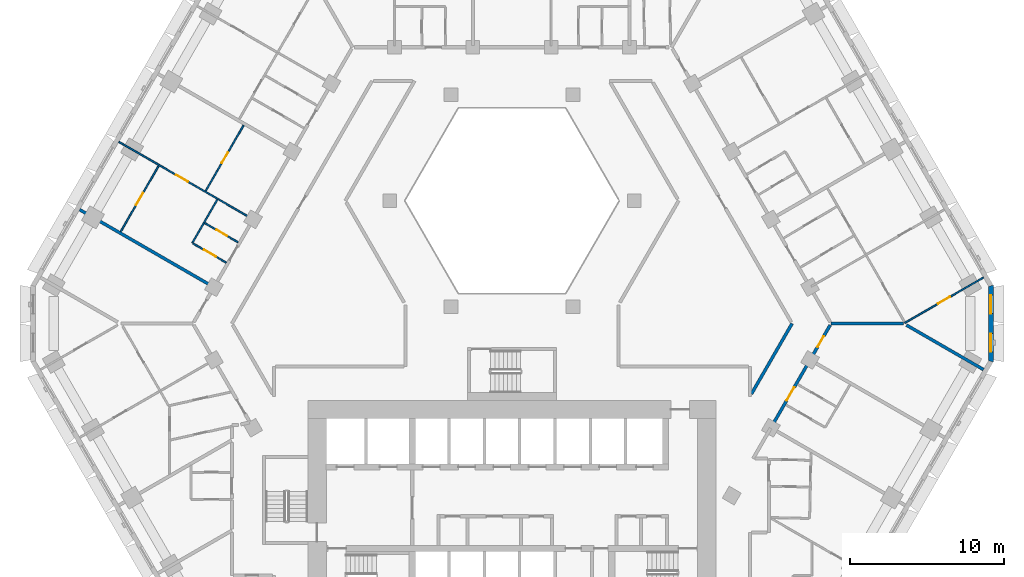
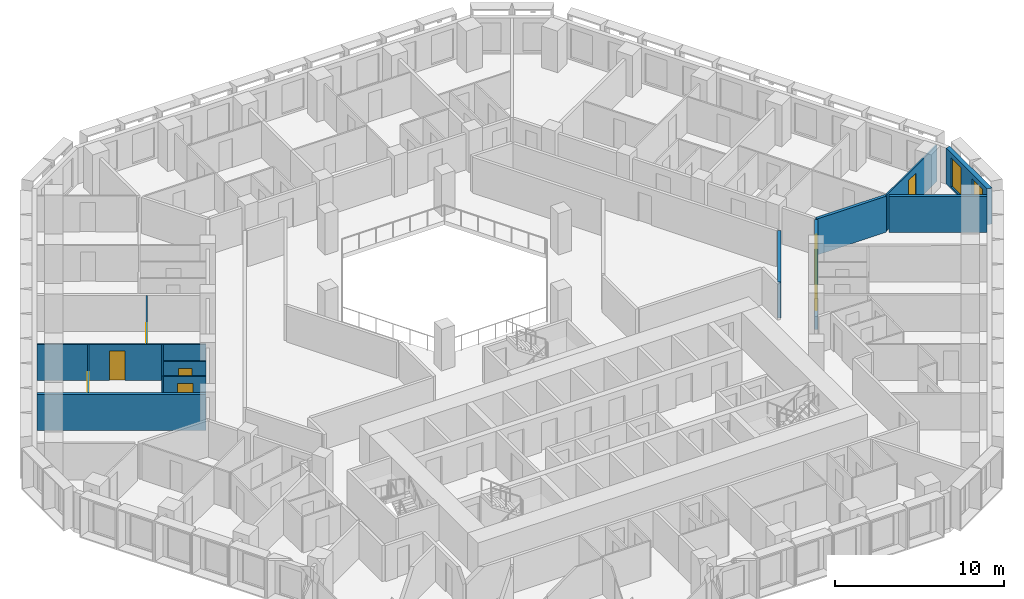
# One storey, part 8 of 21: 13 walls, 8 doors, 2 windows, 10 openings.
"""IFC4 building model written with IfcOpenShell, lengths in metres."""

from ifc_helpers import new_model, si_unit, direction, frame, frame_2d, origin, place, context, subcontext, project, spatial, polyline, rectangle, outline, extrude, material, layer, layer_set, type_object, element, fill, save


model = new_model("IFC4")

# Units and contexts
model_context = context("Model", 3, precision=1e-05, world=origin(), true_north=direction((0.0, 1.0)))
body_context = subcontext(model_context, "Body", "Model", "MODEL_VIEW")
ifc_project = project(units=[si_unit("LENGTHUNIT", "METRE"), si_unit("AREAUNIT", "SQUARE_METRE"), si_unit("VOLUMEUNIT", "CUBIC_METRE"), si_unit("PLANEANGLEUNIT", "RADIAN"), si_unit("MASSUNIT", "GRAM", prefix="KILO")], contexts=[model_context])

# Site, building, storey
site_placement = place(None, origin())
site = spatial("IfcSite", under=ifc_project, at=site_placement, CompositionType="ELEMENT")
building_placement = place(site_placement, origin())
building = spatial("IfcBuilding", under=site, at=building_placement, Name="Beryl Residences", CompositionType="ELEMENT")
storey_placement = place(building_placement, frame((0.0, 0.0, 59.39990234375)))
storey = spatial("IfcBuildingStorey", under=building, at=storey_placement, Name="L18", CompositionType="ELEMENT", Elevation=59.39990234375)

# Wall, openings, windows
ifc_material_1 = material(Name="Composite metal panel with mineral wool insulation")
ifc_layer_1 = layer(ifc_material_1, 0.300048828125)
ifc_layer_set_1 = layer_set([ifc_layer_1], Name="ES1 pale metal composite panel wall 300 mm")
wall_type_1 = type_object("IfcWallType", Name="ES1 pale metal composite panel wall 300 mm", PredefinedType="SOLIDWALL", material=ifc_layer_set_1)
wall_1_placement = place(storey_placement, frame((31.199951171875, -2.5, 0.0), z_axis=(0.0, 0.0, 1.0), x_axis=(0.0, 1.0, 0.0)))
wall_1 = element("IfcWall", 1, at=wall_1_placement, inside=storey, type_object=wall_type_1, Name="ES1 external wall L18 SE-NE", PredefinedType="SOLIDWALL", context=body_context, shape_type="SweptSolid", body=[
    extrude(outline(polyline([(0.0, -0.14990234375), (5.0, -0.14990234375), (4.919677734375, 0.14990234375), (0.080322265625, 0.14990234375), (0.0, -0.14990234375)])), origin(), (0.0, 0.0, 1.0), 2.60009765625),
])
opening_1_placement = place(wall_1_placement, frame((0.64990234375, 0.0, 0.14990234375)))
opening_1 = element("IfcOpeningElement", 2, at=opening_1_placement, cuts=wall_1, Name="Opening W2", PredefinedType="OPENING", context=body_context, shape_type="SweptSolid", body=[
    extrude(rectangle(XDim=1.199951171875, YDim=2.10009765625, at=frame_2d((0.60009765625, 1.050048828125))), frame((0.0, 0.159912109375, 0.0), z_axis=(0.0, -1.0, 0.0), x_axis=(1.0, 0.0, 0.0)), (0.0, 0.0, 1.0), 0.320068359375),
])
opening_2_placement = place(wall_1_placement, frame((3.14990234375, 0.0, 0.14990234375)))
opening_2 = element("IfcOpeningElement", 3, at=opening_2_placement, cuts=wall_1, Name="Opening W2", PredefinedType="OPENING", context=body_context, shape_type="SweptSolid", body=[
    extrude(rectangle(XDim=1.199951171875, YDim=2.10009765625, at=frame_2d((0.60009765625, 1.050048828125))), frame((0.0, 0.159912109375, 0.0), z_axis=(0.0, -1.0, 0.0), x_axis=(1.0, 0.0, 0.0)), (0.0, 0.0, 1.0), 0.320068359375),
])
ifc_material_2 = material(Name="Aluminium and clear glass", Category="aluminium")
window_type = type_object("IfcWindowType", Name="W2 chamfer window 1200 x 2100 mm", PartitioningType="SINGLE_PANEL", PredefinedType="WINDOW", material=ifc_material_2)
window_1_placement = place(opening_1_placement, origin())
window_1 = element("IfcWindow", 4, at=window_1_placement, inside=storey, type_object=window_type, Name="W2 window L18 SE-NE 1", OverallHeight=2.10009765625, OverallWidth=1.199951171875, PartitioningType="SINGLE_PANEL", PredefinedType="WINDOW", context=body_context, shape_type="SweptSolid", body=[
    extrude(rectangle(XDim=1.199951171875, YDim=2.10009765625, at=frame_2d((0.60009765625, 1.050048828125))), frame((0.0, 0.030029296875, 0.0), z_axis=(0.0, -1.0, 0.0), x_axis=(1.0, 0.0, 0.0)), (0.0, 0.0, 1.0), 0.06005859375),
])
fill(opening_1, window_1)
window_2_placement = place(opening_2_placement, origin())
window_2 = element("IfcWindow", 5, at=window_2_placement, inside=storey, type_object=window_type, Name="W2 window L18 SE-NE 2", OverallHeight=2.10009765625, OverallWidth=1.199951171875, PartitioningType="SINGLE_PANEL", PredefinedType="WINDOW", context=body_context, shape_type="SweptSolid", body=[
    extrude(rectangle(XDim=1.199951171875, YDim=2.10009765625, at=frame_2d((0.60009765625, 1.050048828125))), frame((0.0, 0.030029296875, 0.0), z_axis=(0.0, -1.0, 0.0), x_axis=(1.0, 0.0, 0.0)), (0.0, 0.0, 1.0), 0.06005859375),
])
fill(opening_2, window_2)

# Wall, opening, door
ifc_material_3 = material(Name="Gypsum board partition on steel studs", Category="steel")
ifc_layer_2 = layer(ifc_material_3, 0.10009765625)
ifc_layer_set_2 = layer_set([ifc_layer_2], Name="PT1 partition 100 mm gypsum board on steel studs")
wall_type_2 = type_object("IfcWallType", Name="PT1 partition 100 mm gypsum board on steel studs", PredefinedType="PARTITIONING", material=ifc_layer_set_2)
wall_2_placement = place(storey_placement, frame((-20.01806640625, 6.547119140625, 0.0), z_axis=(0.0, 0.0, 1.0), x_axis=(0.866038211682, -0.499977815414, 0.0)))
wall_2 = element("IfcWall", 6, at=wall_2_placement, inside=storey, type_object=wall_type_2, Name="Wall PT1 L18 019", PredefinedType="PARTITIONING", context=body_context, shape_type="SweptSolid", body=[
    extrude(rectangle(XDim=2.51025390625, YDim=0.10009765625, at=frame_2d((1.255126953125, 0.0))), origin(), (0.0, 0.0, 1.0), 2.60009765625),
])
opening_3_placement = place(wall_2_placement, frame((0.8798828125, 0.0, 0.0)))
opening_3 = element("IfcOpeningElement", 7, at=opening_3_placement, cuts=wall_2, Name="Opening D0340", PredefinedType="OPENING", context=body_context, shape_type="SweptSolid", body=[
    extrude(rectangle(XDim=0.800048828125, YDim=2.10009765625, at=frame_2d((0.39990234375, 1.050048828125))), frame((0.0, 0.06005859375, 0.0), z_axis=(0.0, -1.0, 0.0), x_axis=(1.0, 0.0, 0.0)), (0.0, 0.0, 1.0), 0.1201171875),
])
ifc_material_4 = material(Name="Timber door leaf", Category="wood")
door_type_1 = type_object("IfcDoorType", Name="D3 bathroom door 800 x 2100 mm", OperationType="SINGLE_SWING_LEFT", PredefinedType="DOOR", material=ifc_material_4)
door_1_placement = place(opening_3_placement, origin())
door_1 = element("IfcDoor", 8, at=door_1_placement, inside=storey, type_object=door_type_1, Name="Door D0340 L18 001", OperationType="SINGLE_SWING_RIGHT", OverallHeight=2.10009765625, OverallWidth=0.800048828125, PredefinedType="DOOR", context=body_context, shape_type="SweptSolid", body=[
    extrude(rectangle(XDim=0.800048828125, YDim=2.10009765625, at=frame_2d((0.39990234375, 1.050048828125))), frame((0.0, 0.02490234375, 0.0), z_axis=(0.0, -1.0, 0.0), x_axis=(1.0, 0.0, 0.0)), (0.0, 0.0, 1.0), 0.050048828125),
])
fill(opening_3, door_1)

wall_3_placement = place(storey_placement, frame((-20.782958984375, 5.220947265625, 0.0), z_axis=(0.0, 0.0, 1.0), x_axis=(0.865958718457, -0.500115484592, 0.0)))
wall_3 = element("IfcWall", 9, at=wall_3_placement, inside=storey, type_object=wall_type_2, Name="Wall PT1 L18 020", PredefinedType="PARTITIONING", context=body_context, shape_type="SweptSolid", body=[
    extrude(rectangle(XDim=2.50927734375, YDim=0.10009765625, at=frame_2d((1.254638671875, 0.0))), origin(), (0.0, 0.0, 1.0), 2.60009765625),
])
opening_4_placement = place(wall_3_placement, frame((0.8291015625, 0.0, 0.0)))
opening_4 = element("IfcOpeningElement", 10, at=opening_4_placement, cuts=wall_3, Name="Opening D0339", PredefinedType="OPENING", context=body_context, shape_type="SweptSolid", body=[
    extrude(rectangle(XDim=0.89990234375, YDim=2.10009765625, at=frame_2d((0.449951171875, 1.050048828125))), frame((0.0, 0.06005859375, 0.0), z_axis=(0.0, -1.0, 0.0), x_axis=(1.0, 0.0, 0.0)), (0.0, 0.0, 1.0), 0.1201171875),
])
ifc_material_5 = material(Name="Timber door leaf", Category="wood")
door_type_2 = type_object("IfcDoorType", Name="D2 room door 900 x 2100 mm", OperationType="SINGLE_SWING_LEFT", PredefinedType="DOOR", material=ifc_material_5)
door_2_placement = place(opening_4_placement, origin())
door_2 = element("IfcDoor", 11, at=door_2_placement, inside=storey, type_object=door_type_2, Name="Door D0339 L18 001", OperationType="SINGLE_SWING_LEFT", OverallHeight=2.10009765625, OverallWidth=0.89990234375, PredefinedType="DOOR", context=body_context, shape_type="SweptSolid", body=[
    extrude(rectangle(XDim=0.89990234375, YDim=2.10009765625, at=frame_2d((0.449951171875, 1.050048828125))), frame((0.0, 0.02490234375, 0.0), z_axis=(0.0, -1.0, 0.0), x_axis=(1.0, 0.0, 0.0)), (0.0, 0.0, 1.0), 0.050048828125),
])
fill(opening_4, door_2)

wall_4_placement = place(storey_placement, frame((-25.611083984375, 11.839111328125, 0.0), z_axis=(0.0, 0.0, 1.0), x_axis=(0.866022959057, -0.500004234368, 0.0)))
wall_4 = element("IfcWall", 12, at=wall_4_placement, inside=storey, type_object=wall_type_2, Name="Wall PT1 L18 021", PredefinedType="PARTITIONING", context=body_context, shape_type="SweptSolid", body=[
    extrude(rectangle(XDim=10.0, YDim=0.10009765625, at=frame_2d((5.0, 0.0))), origin(), (0.0, 0.0, 1.0), 2.60009765625),
])
opening_5_placement = place(wall_4_placement, frame((4.304931640625, 0.0, 0.0)))
opening_5 = element("IfcOpeningElement", 13, at=opening_5_placement, cuts=wall_4, Name="Opening D0342", PredefinedType="OPENING", context=body_context, shape_type="SweptSolid", body=[
    extrude(rectangle(XDim=0.89990234375, YDim=2.10009765625, at=frame_2d((0.449951171875, 1.050048828125))), frame((0.0, 0.06005859375, 0.0), z_axis=(0.0, -1.0, 0.0), x_axis=(1.0, 0.0, 0.0)), (0.0, 0.0, 1.0), 0.1201171875),
])
door_3_placement = place(opening_5_placement, origin())
door_3 = element("IfcDoor", 14, at=door_3_placement, inside=storey, type_object=door_type_2, Name="Door D0342 L18 001", OperationType="SINGLE_SWING_RIGHT", OverallHeight=2.10009765625, OverallWidth=0.89990234375, PredefinedType="DOOR", context=body_context, shape_type="SweptSolid", body=[
    extrude(rectangle(XDim=0.89990234375, YDim=2.10009765625, at=frame_2d((0.449951171875, 1.050048828125))), frame((0.0, 0.02490234375, 0.0), z_axis=(0.0, -1.0, 0.0), x_axis=(1.0, 0.0, 0.0)), (0.0, 0.0, 1.0), 0.050048828125),
])
fill(opening_5, door_3)

# Wall
wall_5_placement = place(storey_placement, frame((-20.825927734375, 5.2470703125, 0.0), z_axis=(0.0, 0.0, 1.0), x_axis=(0.499806605897, 0.866137031134, 0.0)))
element("IfcWall", 15, at=wall_5_placement, inside=storey, type_object=wall_type_2, Name="Wall PT1 L18 045", PredefinedType="PARTITIONING", context=body_context, shape_type="SweptSolid", body=[
    extrude(rectangle(XDim=3.264892578125, YDim=0.10009765625, at=frame_2d((1.63232421875, 0.0))), origin(), (0.0, 0.0, 1.0), 2.60009765625),
])

# Wall, opening, door
wall_6_placement = place(storey_placement, frame((-19.95703125, 8.633056640625, 0.0), z_axis=(0.0, 0.0, 1.0), x_axis=(0.499967111503, 0.866044391134, 0.0)))
wall_6 = element("IfcWall", 16, at=wall_6_placement, inside=storey, type_object=wall_type_2, Name="Wall PT1 L18 046", PredefinedType="PARTITIONING", context=body_context, shape_type="SweptSolid", body=[
    extrude(rectangle(XDim=4.952392578125, YDim=0.10009765625, at=frame_2d((2.47607421875, 0.0))), origin(), (0.0, 0.0, 1.0), 2.60009765625),
])
opening_6_placement = place(wall_6_placement, frame((2.10205078125, 0.0, 0.0)))
opening_6 = element("IfcOpeningElement", 17, at=opening_6_placement, cuts=wall_6, Name="Opening D0343", PredefinedType="OPENING", context=body_context, shape_type="SweptSolid", body=[
    extrude(rectangle(XDim=0.800048828125, YDim=2.10009765625, at=frame_2d((0.39990234375, 1.050048828125))), frame((0.0, 0.06005859375, 0.0), z_axis=(0.0, -1.0, 0.0), x_axis=(1.0, 0.0, 0.0)), (0.0, 0.0, 1.0), 0.1201171875),
])
door_4_placement = place(opening_6_placement, origin())
door_4 = element("IfcDoor", 18, at=door_4_placement, inside=storey, type_object=door_type_1, Name="Door D0343 L18 001", OperationType="SINGLE_SWING_LEFT", OverallHeight=2.10009765625, OverallWidth=0.800048828125, PredefinedType="DOOR", context=body_context, shape_type="SweptSolid", body=[
    extrude(rectangle(XDim=0.800048828125, YDim=2.10009765625, at=frame_2d((0.39990234375, 1.050048828125))), frame((0.0, 0.02490234375, 0.0), z_axis=(0.0, -1.0, 0.0), x_axis=(1.0, 0.0, 0.0)), (0.0, 0.0, 1.0), 0.050048828125),
])
fill(opening_6, door_4)

wall_7_placement = place(storey_placement, frame((-25.489013671875, 5.990966796875, 0.0), z_axis=(0.0, 0.0, 1.0), x_axis=(0.499881743012, 0.866093668724, 0.0)))
wall_7 = element("IfcWall", 19, at=wall_7_placement, inside=storey, type_object=wall_type_2, Name="Wall PT1 L18 048", PredefinedType="PARTITIONING", context=body_context, shape_type="SweptSolid", body=[
    extrude(rectangle(XDim=4.953369140625, YDim=0.10009765625, at=frame_2d((2.4765625, 0.0))), origin(), (0.0, 0.0, 1.0), 2.60009765625),
])
opening_7_placement = place(wall_7_placement, frame((2.001953125, 0.0, 0.0)))
opening_7 = element("IfcOpeningElement", 20, at=opening_7_placement, cuts=wall_7, Name="Opening D0341", PredefinedType="OPENING", context=body_context, shape_type="SweptSolid", body=[
    extrude(rectangle(XDim=0.89990234375, YDim=2.10009765625, at=frame_2d((0.449951171875, 1.050048828125))), frame((0.0, 0.06005859375, 0.0), z_axis=(0.0, -1.0, 0.0), x_axis=(1.0, 0.0, 0.0)), (0.0, 0.0, 1.0), 0.1201171875),
])
door_5_placement = place(opening_7_placement, origin())
door_5 = element("IfcDoor", 21, at=door_5_placement, inside=storey, type_object=door_type_2, Name="Door D0341 L18 001", OperationType="SINGLE_SWING_LEFT", OverallHeight=2.10009765625, OverallWidth=0.89990234375, PredefinedType="DOOR", context=body_context, shape_type="SweptSolid", body=[
    extrude(rectangle(XDim=0.89990234375, YDim=2.10009765625, at=frame_2d((0.449951171875, 1.050048828125))), frame((0.0, 0.02490234375, 0.0), z_axis=(0.0, -1.0, 0.0), x_axis=(1.0, 0.0, 0.0)), (0.0, 0.0, 1.0), 0.050048828125),
])
fill(opening_7, door_5)

wall_8_placement = place(storey_placement, frame((25.587890625, 0.041015625, 0.0), z_axis=(0.0, 0.0, 1.0), x_axis=(0.866113484451, 0.499847408768, 0.0)))
wall_8 = element("IfcWall", 22, at=wall_8_placement, inside=storey, type_object=wall_type_2, Name="Wall PT1 L18 070", PredefinedType="PARTITIONING", context=body_context, shape_type="SweptSolid", body=[
    extrude(rectangle(XDim=5.919677734375, YDim=0.10009765625, at=frame_2d((2.9599609375, 0.0))), origin(), (0.0, 0.0, 1.0), 2.60009765625),
])
opening_8_placement = place(wall_8_placement, frame((2.510009765625, 0.0, 0.0)))
opening_8 = element("IfcOpeningElement", 23, at=opening_8_placement, cuts=wall_8, Name="Opening D0306", PredefinedType="OPENING", context=body_context, shape_type="SweptSolid", body=[
    extrude(rectangle(XDim=0.89990234375, YDim=2.10009765625, at=frame_2d((0.449951171875, 1.050048828125))), frame((0.0, 0.06005859375, 0.0), z_axis=(0.0, -1.0, 0.0), x_axis=(1.0, 0.0, 0.0)), (0.0, 0.0, 1.0), 0.1201171875),
])
door_6_placement = place(opening_8_placement, origin())
door_6 = element("IfcDoor", 24, at=door_6_placement, inside=storey, type_object=door_type_2, Name="Door D0306 L18 001", OperationType="SINGLE_SWING_RIGHT", OverallHeight=2.10009765625, OverallWidth=0.89990234375, PredefinedType="DOOR", context=body_context, shape_type="SweptSolid", body=[
    extrude(rectangle(XDim=0.89990234375, YDim=2.10009765625, at=frame_2d((0.449951171875, 1.050048828125))), frame((0.0, 0.02490234375, 0.0), z_axis=(0.0, -1.0, 0.0), x_axis=(1.0, 0.0, 0.0)), (0.0, 0.0, 1.0), 0.050048828125),
])
fill(opening_8, door_6)

# Walls
ifc_material_6 = material(Name="Acoustic double stud gypsum board wall")
ifc_layer_3 = layer(ifc_material_6, 0.199951171875)
ifc_layer_set_3 = layer_set([ifc_layer_3], Name="PT3 party wall 200 mm acoustic double stud")
wall_type_3 = type_object("IfcWallType", Name="PT3 party wall 200 mm acoustic double stud", PredefinedType="PARTITIONING", material=ifc_layer_set_3)
wall_9_placement = place(storey_placement, frame((-28.1630859375, 7.4189453125, 0.0), z_axis=(0.0, 0.0, 1.0), x_axis=(0.866022959057, -0.500004234368, 0.0)))
element("IfcWall", 25, at=wall_9_placement, inside=storey, type_object=wall_type_3, Name="Wall PT3 L18 007", PredefinedType="PARTITIONING", context=body_context, shape_type="SweptSolid", body=[
    extrude(rectangle(XDim=10.0, YDim=0.199951171875, at=frame_2d((5.0, 0.0))), origin(), (0.0, 0.0, 1.0), 2.60009765625),
])
wall_10_placement = place(storey_placement, frame((25.693115234375, -0.09912109375, 0.0), z_axis=(0.0, 0.0, 1.0), x_axis=(0.866032775405, -0.499987231761, 0.0)))
element("IfcWall", 26, at=wall_10_placement, inside=storey, type_object=wall_type_3, Name="Wall PT3 L18 011", PredefinedType="PARTITIONING", context=body_context, shape_type="SweptSolid", body=[
    extrude(rectangle(XDim=5.800048828125, YDim=0.199951171875, at=frame_2d((2.89990234375, 0.0))), origin(), (0.0, 0.0, 1.0), 2.60009765625),
])
wall_11_placement = place(storey_placement, frame((20.783935546875, 0.0009765625, 0.0), z_axis=(0.0, 0.0, 1.0), x_axis=(1.0, 0.0, 0.0)))
element("IfcWall", 27, at=wall_11_placement, inside=storey, type_object=wall_type_3, Name="Wall PT3 L18 015", PredefinedType="PARTITIONING", context=body_context, shape_type="SweptSolid", body=[
    extrude(rectangle(XDim=4.735107421875, YDim=0.199951171875, at=frame_2d((2.36767578125, 0.0))), origin(), (0.0, 0.0, 1.0), 2.60009765625),
])
ifc_material_7 = material(Name="Double stud gypsum board wall")
ifc_layer_4 = layer(ifc_material_7, 0.199951171875)
ifc_layer_set_4 = layer_set([ifc_layer_4], Name="PT4 corridor wall 200 mm double stud")
wall_type_4 = type_object("IfcWallType", Name="PT4 corridor wall 200 mm double stud", PredefinedType="PARTITIONING", material=ifc_layer_set_4)
wall_12_placement = place(storey_placement, frame((15.60009765625, -4.5791015625, 0.0), z_axis=(0.0, 0.0, 1.0), x_axis=(0.499927597274, 0.866067201483, 0.0)))
element("IfcWall", 28, at=wall_12_placement, inside=storey, type_object=wall_type_4, Name="Wall PT4 L18 019", PredefinedType="PARTITIONING", context=body_context, shape_type="SweptSolid", body=[
    extrude(rectangle(XDim=5.288330078125, YDim=0.199951171875, at=frame_2d((2.64404296875, 0.0))), origin(), (0.0, 0.0, 1.0), 2.60009765625),
])

# Wall, openings, doors
wall_13_placement = place(storey_placement, frame((16.9140625, -6.702880859375, 0.0), z_axis=(0.0, 0.0, 1.0), x_axis=(0.50003007663, 0.866008038338, 0.0)))
wall_13 = element("IfcWall", 29, at=wall_13_placement, inside=storey, type_object=wall_type_4, Name="Wall PT4 L18 021", PredefinedType="PARTITIONING", context=body_context, shape_type="SweptSolid", body=[
    extrude(rectangle(XDim=7.62548828125, YDim=0.199951171875, at=frame_2d((3.812744140625, 0.0))), origin(), (0.0, 0.0, 1.0), 2.60009765625),
])
opening_9_placement = place(wall_13_placement, frame((1.951904296875, 0.0, 0.0)))
opening_9 = element("IfcOpeningElement", 30, at=opening_9_placement, cuts=wall_13, Name="Opening D0377", PredefinedType="OPENING", context=body_context, shape_type="SweptSolid", body=[
    extrude(rectangle(XDim=1.0, YDim=2.10009765625, at=frame_2d((0.5, 1.050048828125))), frame((0.0, 0.10986328125, 0.0), z_axis=(0.0, -1.0, 0.0), x_axis=(1.0, 0.0, 0.0)), (0.0, 0.0, 1.0), 0.219970703125),
])
opening_10_placement = place(wall_13_placement, frame((5.987060546875, 0.0, 0.0)))
opening_10 = element("IfcOpeningElement", 31, at=opening_10_placement, cuts=wall_13, Name="Opening D0380", PredefinedType="OPENING", context=body_context, shape_type="SweptSolid", body=[
    extrude(rectangle(XDim=0.800048828125, YDim=2.10009765625, at=frame_2d((0.39990234375, 1.050048828125))), frame((0.0, 0.10986328125, 0.0), z_axis=(0.0, -1.0, 0.0), x_axis=(1.0, 0.0, 0.0)), (0.0, 0.0, 1.0), 0.219970703125),
])
ifc_material_8 = material(Name="Timber door leaf", Category="wood")
door_type_3 = type_object("IfcDoorType", Name="D1 flat entrance door 1000 x 2100 mm", OperationType="SINGLE_SWING_LEFT", PredefinedType="DOOR", material=ifc_material_8)
door_7_placement = place(opening_9_placement, origin())
door_7 = element("IfcDoor", 32, at=door_7_placement, inside=storey, type_object=door_type_3, Name="Door D0377 L18 001", OperationType="SINGLE_SWING_LEFT", OverallHeight=2.10009765625, OverallWidth=1.0, PredefinedType="DOOR", context=body_context, shape_type="SweptSolid", body=[
    extrude(rectangle(XDim=1.0, YDim=2.10009765625, at=frame_2d((0.5, 1.050048828125))), frame((0.0, 0.02490234375, 0.0), z_axis=(0.0, -1.0, 0.0), x_axis=(1.0, 0.0, 0.0)), (0.0, 0.0, 1.0), 0.050048828125),
])
fill(opening_9, door_7)
door_8_placement = place(opening_10_placement, origin())
door_8 = element("IfcDoor", 33, at=door_8_placement, inside=storey, type_object=door_type_1, Name="Door D0380 L18 001", OperationType="SINGLE_SWING_RIGHT", OverallHeight=2.10009765625, OverallWidth=0.800048828125, PredefinedType="DOOR", context=body_context, shape_type="SweptSolid", body=[
    extrude(rectangle(XDim=0.800048828125, YDim=2.10009765625, at=frame_2d((0.39990234375, 1.050048828125))), frame((0.0, 0.02490234375, 0.0), z_axis=(0.0, -1.0, 0.0), x_axis=(1.0, 0.0, 0.0)), (0.0, 0.0, 1.0), 0.050048828125),
])
fill(opening_10, door_8)

save(model, "model.ifc")
